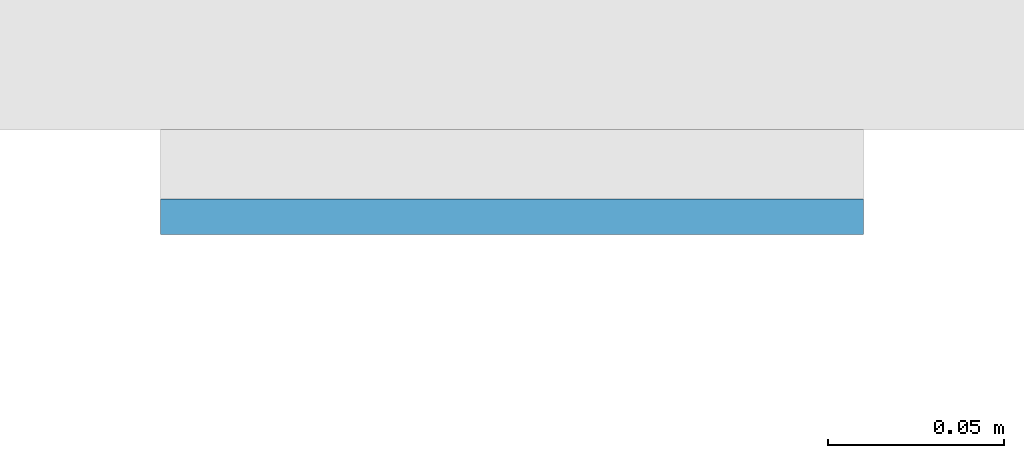
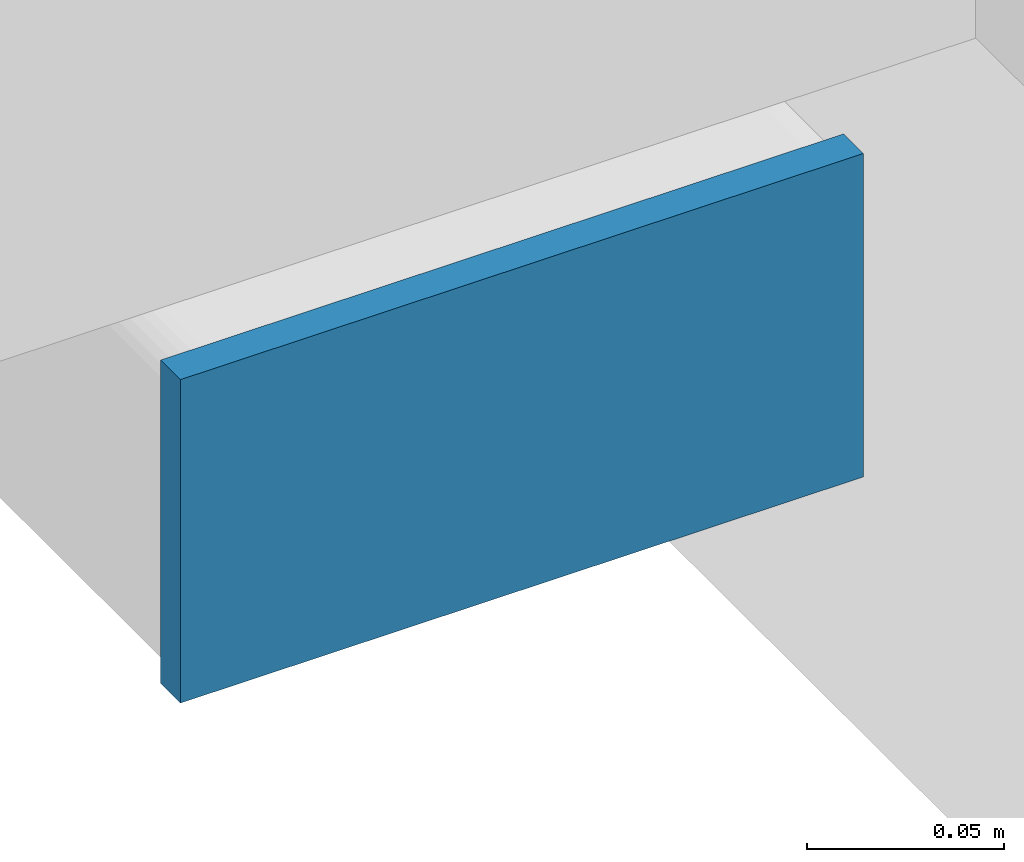
# One storey, part 8 of 21: 1 plate.
"""IFC4 building model written with IfcOpenShell, lengths in metres."""

from ifc_helpers import new_model, si_unit, direction, frame, origin, origin_2d, place, context, subcontext, project, spatial, rectangle, extrude, material, layer, layer_set, type_object, element, save


model = new_model("IFC4")

# Units and contexts
model_context = context("Model", 3, precision=1e-05, world=origin(), true_north=direction((0.0, 1.0)))
body_context = subcontext(model_context, "Body", "Model", "MODEL_VIEW")
ifc_project = project(units=[si_unit("LENGTHUNIT", "METRE"), si_unit("AREAUNIT", "SQUARE_METRE"), si_unit("VOLUMEUNIT", "CUBIC_METRE"), si_unit("PLANEANGLEUNIT", "RADIAN"), si_unit("MASSUNIT", "GRAM", prefix="KILO")], contexts=[model_context])

# Site, building, storey
site_placement = place(None, origin())
site = spatial("IfcSite", under=ifc_project, at=site_placement, CompositionType="ELEMENT")
building_placement = place(site_placement, origin())
building = spatial("IfcBuilding", under=site, at=building_placement, Name="Cleftline Residences", CompositionType="ELEMENT")
storey_placement = place(building_placement, frame((0.0, 0.0, 125.0)))
storey = spatial("IfcBuildingStorey", under=building, at=storey_placement, Name="L32", CompositionType="ELEMENT", Elevation=125.0)

# Plate
ifc_material = material(Name="Steel S355, hot-dip galvanised", Category="steel")
ifc_layer = layer(ifc_material, 0.010009765625)
ifc_layer_set = layer_set([ifc_layer], Name="BAGUETTE CARRIER END PLATE 200X100X10")
plate_type = type_object("IfcPlateType", Name="BAGUETTE CARRIER END PLATE 200X100X10", PredefinedType="USERDEFINED", material=ifc_layer_set)
plate_placement = place(storey_placement, frame((-0.85009765625, 3.695068359375, -0.10009765625), z_axis=(0.0, 0.0, 1.0), x_axis=(-1.0, 0.0, 0.0)))
element("IfcPlate", 1, at=plate_placement, inside=storey, type_object=plate_type, Name="Baguette carrier end plate", ObjectType="BAGUETTE CARRIER END PLATE", PredefinedType="USERDEFINED", context=body_context, shape_type="SweptSolid", body=[
    extrude(rectangle(XDim=0.199951171875, YDim=0.010009765625, at=origin_2d()), origin(), (0.0, 0.0, 1.0), 0.10009765625),
])

save(model, "model.ifc")
